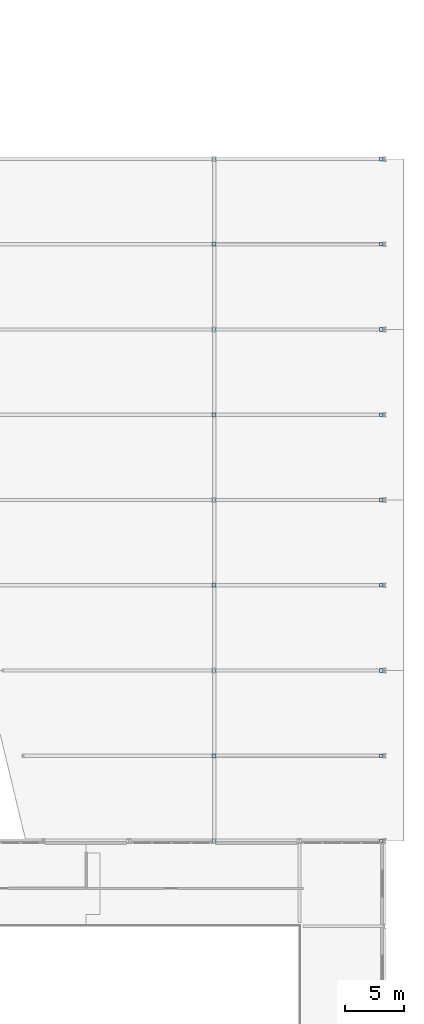
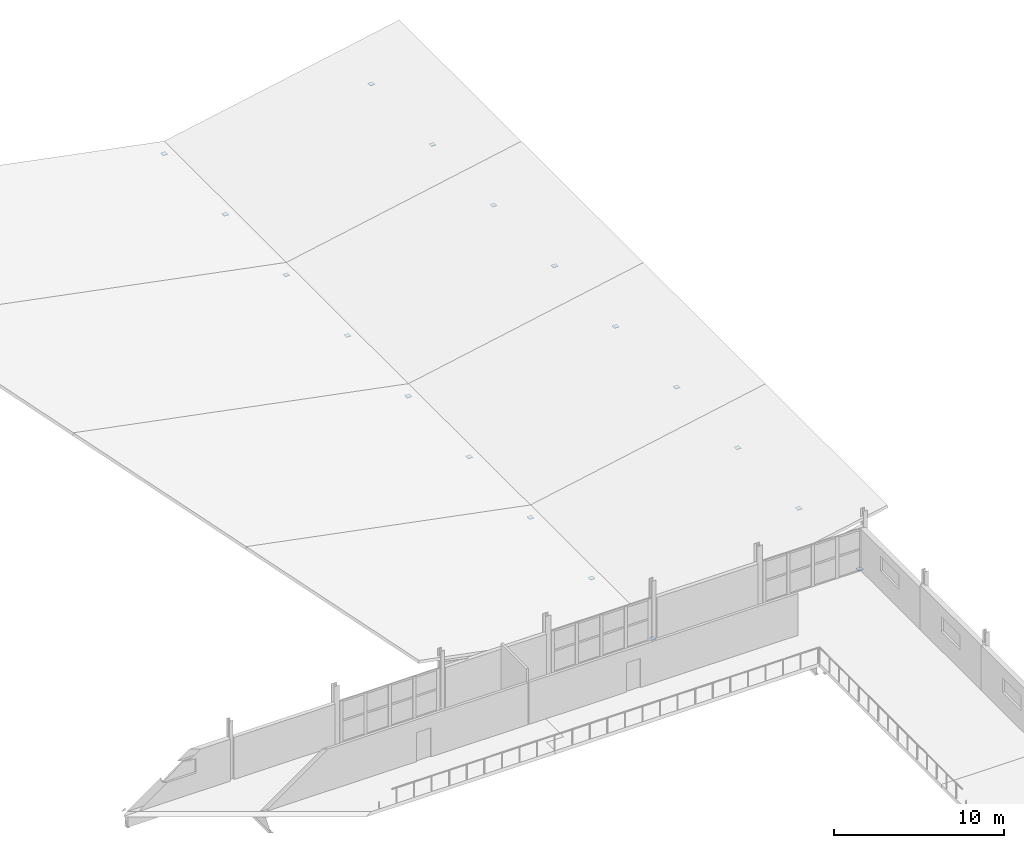
# One storey, part 65 of 94: 18 plates.
"""IFC4 building model written with IfcOpenShell, lengths in metres."""

from ifc_helpers import new_model, si_unit, direction, frame, origin, origin_2d, place, context, subcontext, project, spatial, rectangle, extrude, material, layer, layer_set, type_object, element, save


model = new_model("IFC4")

# Units and contexts
model_context = context("Model", 3, precision=1e-05, world=origin(), true_north=direction((0.0, 1.0)))
body_context = subcontext(model_context, "Body", "Model", "MODEL_VIEW")
ifc_project = project(units=[si_unit("LENGTHUNIT", "METRE"), si_unit("AREAUNIT", "SQUARE_METRE"), si_unit("VOLUMEUNIT", "CUBIC_METRE"), si_unit("PLANEANGLEUNIT", "RADIAN"), si_unit("MASSUNIT", "GRAM", prefix="KILO")], contexts=[model_context])

# Site, building, storey
site_placement = place(None, origin())
site = spatial("IfcSite", under=ifc_project, at=site_placement, CompositionType="ELEMENT")
building_placement = place(site_placement, origin())
building = spatial("IfcBuilding", under=site, at=building_placement, Name="Kalmorath City Hall", CompositionType="ELEMENT")
storey_placement = place(building_placement, frame((0.0, 0.0, 14.699951171875)))
storey = spatial("IfcBuildingStorey", under=building, at=storey_placement, Name="L03", CompositionType="ELEMENT", Elevation=14.699951171875)

# Plates
ifc_material = material(Name="Steel ASTM A572 Grade 50", Category="steel")
ifc_layer = layer(ifc_material, 0.02490234375)
ifc_layer_set = layer_set([ifc_layer], Name="Steel ASTM A572 Grade 50")
plate_type = type_object("IfcPlateType", Name="Steel HSS end-cap plate 320x320x25", PredefinedType="SHEET", material=ifc_layer_set)
for number, where, z_axis, x_axis, name in (
    (1, (151.199951171875, 43.199951171875, -0.09228515625), (0.0, 0.0, 1.0), (1.0, 0.0, 0.0), "Butterfly strut cap plate GP4-1"),
    (2, (165.31005859375, 43.199951171875, -0.012451171875), (0.0, 0.0, 1.0), (1.0, 0.0, 0.0), "Butterfly strut east end-plate GP4-1"),
    (3, (151.199951171875, 50.39990234375, -0.09228515625), (0.0, 0.0, 1.0), (1.0, 0.0, 0.0), "Butterfly strut cap plate GP4-2"),
    (4, (165.31005859375, 50.39990234375, -0.012451171875), (0.0, 0.0, 1.0), (1.0, 0.0, 0.0), "Butterfly strut east end-plate GP4-2"),
    (5, (151.199951171875, 57.60009765625, -0.09228515625), (0.0, 0.0, 1.0), (1.0, 0.0, 0.0), "Butterfly strut cap plate GP4-3"),
    (6, (165.31005859375, 57.60009765625, -0.012451171875), (0.0, 0.0, 1.0), (1.0, 0.0, 0.0), "Butterfly strut east end-plate GP4-3"),
    (7, (151.199951171875, 64.800048828125, -0.09228515625), (0.0, 0.0, 1.0), (1.0, 0.0, 0.0), "Butterfly strut cap plate GP4-4"),
    (8, (165.31005859375, 64.800048828125, -0.012451171875), (0.0, 0.0, 1.0), (1.0, 0.0, 0.0), "Butterfly strut east end-plate GP4-4"),
    (9, (151.199951171875, 72.0, -0.09228515625), (0.0, 0.0, 1.0), (1.0, 0.0, 0.0), "Butterfly strut cap plate GP4-5"),
    (10, (165.31005859375, 72.0, -0.012451171875), (0.0, 0.0, 1.0), (1.0, 0.0, 0.0), "Butterfly strut east end-plate GP4-5"),
    (11, (151.199951171875, 79.199951171875, -0.09228515625), (0.0, 0.0, 1.0), (1.0, 0.0, 0.0), "Butterfly strut cap plate GP4-6"),
    (12, (165.31005859375, 79.199951171875, -0.012451171875), (0.0, 0.0, 1.0), (1.0, 0.0, 0.0), "Butterfly strut east end-plate GP4-6"),
    (13, (151.199951171875, 86.39990234375, -0.09228515625), (0.0, 0.0, 1.0), (1.0, 0.0, 0.0), "Butterfly strut cap plate GP4-7"),
    (14, (165.31005859375, 86.39990234375, -0.012451171875), (0.0, 0.0, 1.0), (1.0, 0.0, 0.0), "Butterfly strut east end-plate GP4-7"),
    (15, (151.199951171875, 93.60009765625, -0.09228515625), (0.0, 0.0, 1.0), (1.0, 0.0, 0.0), "Butterfly strut cap plate GP4-8"),
    (16, (165.31005859375, 93.60009765625, -0.012451171875), (0.0, 0.0, 1.0), (1.0, 0.0, 0.0), "Butterfly strut east end-plate GP4-8"),
    (17, (151.199951171875, 100.800048828125, -0.09228515625), (0.0, 0.0, 1.0), (1.0, 0.0, 0.0), "Butterfly strut cap plate GP4-9"),
    (18, (165.31005859375, 100.800048828125, -0.012451171875), (0.0, 0.0, 1.0), (1.0, 0.0, 0.0), "Butterfly strut east end-plate GP4-9"),
):
    element("IfcPlate", number, at=place(storey_placement, frame(where, z_axis=z_axis, x_axis=x_axis)), inside=storey, type_object=plate_type, Name=name, PredefinedType="SHEET", context=body_context, shape_type="SweptSolid", body=[
        extrude(rectangle(XDim=0.320068359375, YDim=0.320068359375, at=origin_2d()), origin(), (0.0, 0.0, 1.0), 0.02490234375),
    ])

save(model, "model.ifc")
